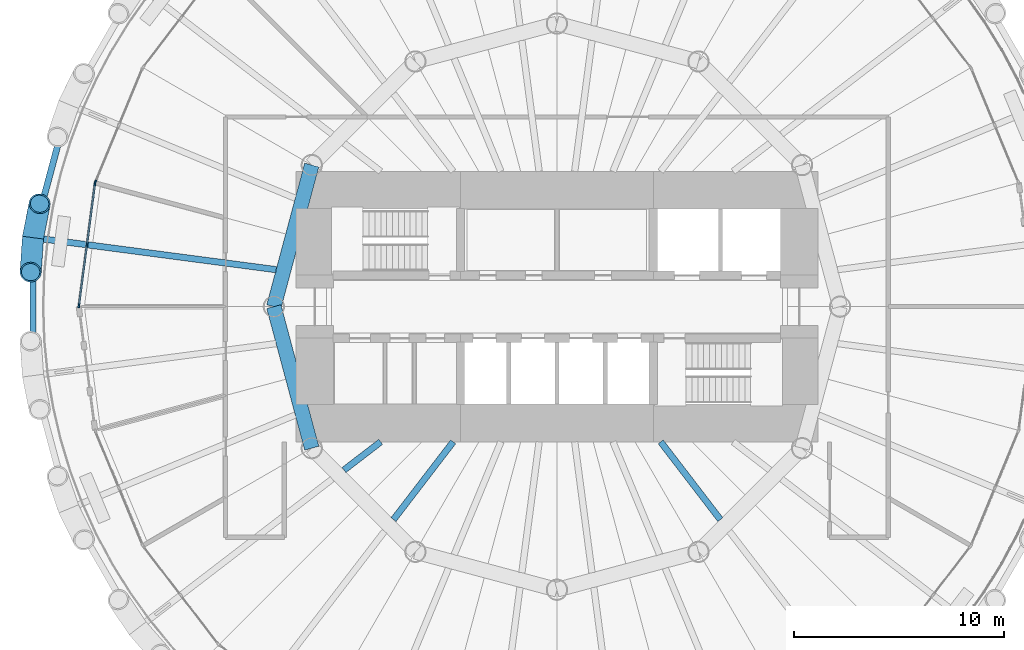
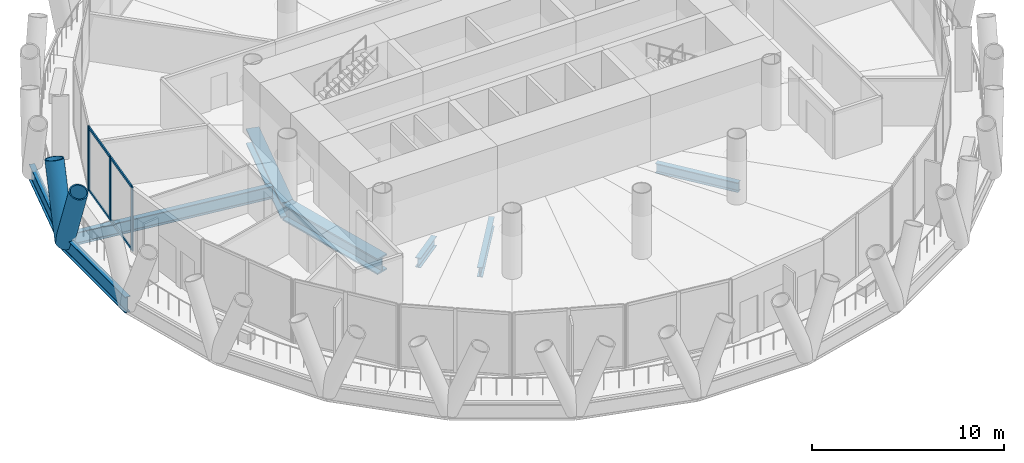
# One storey, part 3 of 14: 10 members, 8 beams, 2 elements without a shape of their own.
"""IFC4 building model written with IfcOpenShell, lengths in metres."""

from ifc_helpers import new_model, si_unit, direction, frame, origin, origin_2d, place, context, subcontext, project, spatial, rectangle, hollow_circle, i_section, extrude, material, material_profile, profile_set, type_object, element, aggregate, save


model = new_model("IFC4")

# Units and contexts
model_context = context("Model", 3, precision=1e-05, world=origin(), true_north=direction((0.0, 1.0)))
body_context = subcontext(model_context, "Body", "Model", "MODEL_VIEW")
ifc_project = project(units=[si_unit("LENGTHUNIT", "METRE"), si_unit("AREAUNIT", "SQUARE_METRE"), si_unit("VOLUMEUNIT", "CUBIC_METRE"), si_unit("PLANEANGLEUNIT", "RADIAN"), si_unit("MASSUNIT", "GRAM", prefix="KILO")], contexts=[model_context])

# Site, building, storey
site_placement = place(None, origin())
site = spatial("IfcSite", under=ifc_project, at=site_placement, CompositionType="ELEMENT")
building_placement = place(site_placement, origin())
building = spatial("IfcBuilding", under=site, at=building_placement, Name="Qaws Media Tower", CompositionType="ELEMENT")
storey_placement = place(building_placement, frame((0.0, 0.0, 118.39990234375)))
storey = spatial("IfcBuildingStorey", under=building, at=storey_placement, Name="L26", CompositionType="ELEMENT", Elevation=118.39990234375)

# Curtain wall, member
ifc_material_1 = material(Name="Aluminium and clear glass", Category="aluminium")
curtain_wall_type = type_object("IfcCurtainWallType", Name="Unitised curtain wall CW-B", PredefinedType="NOTDEFINED", material=ifc_material_1)
curtain_wall_1_placement = place(storey_placement, origin())
curtain_wall_1 = element("IfcCurtainWall", 1, at=curtain_wall_1_placement, inside=storey, type_object=curtain_wall_type, Name="CWB curtain wall L26-11", PredefinedType="NOTDEFINED")
ifc_material_2 = material(Name="Aluminium mullion", Category="aluminium")
ifc_material_profile_1 = material_profile(ifc_material_2, rectangle(XDim=0.080078125, YDim=0.199951171875, at=origin_2d()), Name="80x200")
ifc_profile_set_1 = profile_set([ifc_material_profile_1], Name="Aluminium mullion")
member_type_1 = type_object("IfcMemberType", Name="Curtain wall mullion 80x200", PredefinedType="MULLION", material=ifc_profile_set_1)
member_1_placement = place(storey_placement, frame((37.9921875, 55.93798828125, 0.0), z_axis=(0.0, 0.0, 1.0), x_axis=(0.923879516335, -0.382683471419, 0.0)))
member_1 = element("IfcMember", 2, at=member_1_placement, type_object=member_type_1, Name="CWB mullion 3", PredefinedType="MULLION", context=body_context, shape_type="SweptSolid", body=[
    extrude(rectangle(XDim=0.080078125, YDim=0.199951171875, at=origin_2d()), origin(), (0.0, 0.0, 1.0), 4.0400390625),
])
aggregate(curtain_wall_1, [member_1])

# Curtain wall, members
curtain_wall_2_placement = place(storey_placement, origin())
curtain_wall_2 = element("IfcCurtainWall", 3, at=curtain_wall_2_placement, inside=storey, type_object=curtain_wall_type, Name="CWB curtain wall L26-12", PredefinedType="NOTDEFINED")
member_2_placement = place(storey_placement, frame((37.9716796875, 55.861328125, 0.0), z_axis=(0.0, 0.0, 1.0), x_axis=(0.991444864212, -0.130526170659, 0.0)))
member_2 = element("IfcMember", 4, at=member_2_placement, type_object=member_type_1, Name="CWB mullion 1", PredefinedType="MULLION", context=body_context, shape_type="SweptSolid", body=[
    extrude(rectangle(XDim=0.080078125, YDim=0.199951171875, at=origin_2d()), origin(), (0.0, 0.0, 1.0), 4.0400390625),
])
member_3_placement = place(storey_placement, frame((37.58837890625, 52.950439453125, 0.0), z_axis=(0.0, 0.0, 1.0), x_axis=(0.991444864212, -0.130526170659, 0.0)))
member_3 = element("IfcMember", 5, at=member_3_placement, type_object=member_type_1, Name="CWB mullion 2", PredefinedType="MULLION", context=body_context, shape_type="SweptSolid", body=[
    extrude(rectangle(XDim=0.080078125, YDim=0.199951171875, at=origin_2d()), origin(), (0.0, 0.0, 1.0), 4.0400390625),
])
member_4_placement = place(storey_placement, frame((37.205322265625, 50.03955078125, 0.0), z_axis=(0.0, 0.0, 1.0), x_axis=(0.991444864212, -0.130526170659, 0.0)))
member_4 = element("IfcMember", 6, at=member_4_placement, type_object=member_type_1, Name="CWB mullion 3", PredefinedType="MULLION", context=body_context, shape_type="SweptSolid", body=[
    extrude(rectangle(XDim=0.080078125, YDim=0.199951171875, at=origin_2d()), origin(), (0.0, 0.0, 1.0), 4.0400390625),
])
ifc_material_3 = material(Name="Aluminium transom", Category="aluminium")
ifc_material_profile_2 = material_profile(ifc_material_3, rectangle(XDim=0.080078125, YDim=0.159912109375, at=origin_2d()), Name="80x160")
ifc_profile_set_2 = profile_set([ifc_material_profile_2], Name="Aluminium transom")
member_type_2 = type_object("IfcMemberType", Name="Curtain wall transom 80x160", PredefinedType="USERDEFINED", material=ifc_profile_set_2)
member_5_placement = place(storey_placement, frame((37.966552734375, 55.82177734375, 0.0400390625), z_axis=(-0.130534118793, -0.991443817788, 0.0), x_axis=(0.991443817788, -0.130534118793, 0.0)))
member_5 = element("IfcMember", 7, at=member_5_placement, type_object=member_type_2, Name="CWB transom 1.1", ObjectType="TRANSOM", PredefinedType="USERDEFINED", context=body_context, shape_type="SweptSolid", body=[
    extrude(rectangle(XDim=0.080078125, YDim=0.159912109375, at=origin_2d()), origin(), (0.0, 0.0, 1.0), 2.85595703125),
])
member_6_placement = place(storey_placement, frame((37.966552734375, 55.82177734375, 4.0), z_axis=(-0.130534118793, -0.991443817788, 0.0), x_axis=(0.991443817788, -0.130534118793, 0.0)))
member_6 = element("IfcMember", 8, at=member_6_placement, type_object=member_type_2, Name="CWB transom 1.2", ObjectType="TRANSOM", PredefinedType="USERDEFINED", context=body_context, shape_type="SweptSolid", body=[
    extrude(rectangle(XDim=0.080078125, YDim=0.159912109375, at=origin_2d()), origin(), (0.0, 0.0, 1.0), 2.85595703125),
])
member_7_placement = place(storey_placement, frame((37.583251953125, 52.910888671875, 0.0400390625), z_axis=(-0.130534118793, -0.991443817788, 0.0), x_axis=(0.991443817788, -0.130534118793, 0.0)))
member_7 = element("IfcMember", 9, at=member_7_placement, type_object=member_type_2, Name="CWB transom 2.1", ObjectType="TRANSOM", PredefinedType="USERDEFINED", context=body_context, shape_type="SweptSolid", body=[
    extrude(rectangle(XDim=0.080078125, YDim=0.159912109375, at=origin_2d()), origin(), (0.0, 0.0, 1.0), 2.85595703125),
])
member_8_placement = place(storey_placement, frame((37.583251953125, 52.910888671875, 4.0), z_axis=(-0.130534118793, -0.991443817788, 0.0), x_axis=(0.991443817788, -0.130534118793, 0.0)))
member_8 = element("IfcMember", 10, at=member_8_placement, type_object=member_type_2, Name="CWB transom 2.2", ObjectType="TRANSOM", PredefinedType="USERDEFINED", context=body_context, shape_type="SweptSolid", body=[
    extrude(rectangle(XDim=0.080078125, YDim=0.159912109375, at=origin_2d()), origin(), (0.0, 0.0, 1.0), 2.85595703125),
])
aggregate(curtain_wall_2, [member_2, member_3, member_4, member_5, member_6, member_7, member_8])

# Members
ifc_material_4 = material(Name="Steel S460", Category="steel")
ifc_material_profile_3 = material_profile(ifc_material_4, hollow_circle(Radius=0.508056640625, WallThickness=0.070068359375, at=origin_2d()), Name="CHS 1016x70")
ifc_profile_set_3 = profile_set([ifc_material_profile_3], Name="Steel S460")
member_type_3 = type_object("IfcMemberType", Name="Diagrid member CHS 1016x70", PredefinedType="USERDEFINED", material=ifc_profile_set_3)
for number, where, z_axis, x_axis, name in (
    (11, (35.015625, 53.289306640625, -0.663818359375), (-0.024782959481, -0.364493482667, 0.930876095951), (0.997696468439, -0.067836250378, 0.0), "DG3 diagrid L26 A12"),
    (12, (35.015625, 53.289306640625, -0.663818359375), (0.070400145743, 0.358440096389, 0.930894471344), (-0.981252822756, 0.192724927899, 0.0), "DG3 diagrid L26 B12"),
):
    element("IfcMember", number, at=place(storey_placement, frame(where, z_axis=z_axis, x_axis=x_axis)), inside=storey, type_object=member_type_3, Name=name, ObjectType="DIAGRID", PredefinedType="USERDEFINED", context=body_context, shape_type="SweptSolid", body=[
        extrude(hollow_circle(Radius=0.508056640625, WallThickness=0.070068359375, at=origin_2d()), origin(), (0.0, 0.0, 1.0), 4.51171875),
    ])

# Beams
ifc_material_5 = material(Name="Steel S460", Category="steel")
ifc_material_profile_4 = material_profile(ifc_material_5, i_section(OverallWidth=0.302001953125, OverallDepth=1.008056640625, WebThickness=0.02099609375, FlangeThickness=0.0400390625, FilletRadius=0.030029296875, at=origin_2d()), Name="HE 1000 M")
ifc_profile_set_4 = profile_set([ifc_material_profile_4], Name="Steel S460")
beam_type_1 = type_object("IfcBeamType", Name="Edge ring beam HE 1000 M", PredefinedType="BEAM", material=ifc_profile_set_4)
beam_1_placement = place(storey_placement, frame((36.71826171875, 59.6435546875, -0.663818359375), z_axis=(-0.258822035732, -0.965925024947, 0.0), x_axis=(0.965925024947, -0.258822035732, 0.0)))
element("IfcBeam", 13, at=beam_1_placement, inside=storey, type_object=beam_type_1, Name="RB3 edge ring beam L26-11", PredefinedType="BEAM", context=body_context, shape_type="SweptSolid", body=[
    extrude(i_section(OverallWidth=0.302001953125, OverallDepth=1.008056640625, WebThickness=0.02099609375, FlangeThickness=0.0400390625, FilletRadius=0.030029296875, at=origin_2d()), origin(), (0.0, 0.0, 1.0), 6.578369140625),
])
beam_2_placement = place(storey_placement, frame((35.015625, 53.289306640625, -0.663818359375), z_axis=(0.0, -1.0, 0.0), x_axis=(1.0, 0.0, 0.0)))
element("IfcBeam", 14, at=beam_2_placement, inside=storey, type_object=beam_type_1, Name="RB3 edge ring beam L26-12", PredefinedType="BEAM", context=body_context, shape_type="SweptSolid", body=[
    extrude(i_section(OverallWidth=0.302001953125, OverallDepth=1.008056640625, WebThickness=0.02099609375, FlangeThickness=0.0400390625, FilletRadius=0.030029296875, at=origin_2d()), origin(), (0.0, 0.0, 1.0), 6.57861328125),
])
ifc_material_6 = material(Name="Steel S460", Category="steel")
ifc_material_profile_5 = material_profile(ifc_material_6, i_section(OverallWidth=0.699951171875, OverallDepth=1.0, WebThickness=0.034912109375, FlangeThickness=0.090087890625, at=origin_2d()), Name="PG 1000x700")
ifc_profile_set_5 = profile_set([ifc_material_profile_5], Name="Steel S460")
beam_type_2 = type_object("IfcBeamType", Name="Inner ring girder PG 1000x700", PredefinedType="BEAM", material=ifc_profile_set_5)
for number, where, z_axis, x_axis, name in (
    (15, (48.30859375, 56.75, -0.659912109375), (-0.258810593767, -0.965928090778, 0.0), (0.965928090778, -0.258810593767, 0.0), "B3 inner ring beam L26 I06-I07"),
    (16, (46.5, 50.0, -0.659912109375), (0.258810593767, -0.965928090778, 0.0), (0.965928090778, 0.258810593767, 0.0), "B3 inner ring beam L26 I07-I08"),
):
    element("IfcBeam", number, at=place(storey_placement, frame(where, z_axis=z_axis, x_axis=x_axis)), inside=storey, type_object=beam_type_2, Name=name, PredefinedType="BEAM", context=body_context, shape_type="SweptSolid", body=[
        extrude(i_section(OverallWidth=0.699951171875, OverallDepth=1.0, WebThickness=0.034912109375, FlangeThickness=0.090087890625, at=origin_2d()), origin(), (0.0, 0.0, 1.0), 6.988037109375),
    ])
ifc_material_7 = material(Name="Steel S355", Category="steel")
ifc_material_profile_6 = material_profile(ifc_material_7, i_section(OverallWidth=0.304931640625, OverallDepth=0.6201171875, WebThickness=0.02099609375, FlangeThickness=0.0400390625, FilletRadius=0.027099609375, at=origin_2d()), Name="HE 600 M")
ifc_profile_set_6 = profile_set([ifc_material_profile_6], Name="Steel S355")
beam_type_3 = type_object("IfcBeamType", Name="Radial beam HE 600 M, core side", PredefinedType="BEAM", material=ifc_profile_set_6)
beam_3_placement = place(storey_placement, frame((51.59423828125, 43.550048828125, -0.469970703125), z_axis=(-0.793372769304, -0.608736107789, 0.0), x_axis=(0.608736107789, -0.793372769304, 0.0)))
element("IfcBeam", 17, at=beam_3_placement, inside=storey, type_object=beam_type_3, Name="B2 radial beam L26 15", PredefinedType="BEAM", context=body_context, shape_type="SweptSolid", body=[
    extrude(i_section(OverallWidth=0.304931640625, OverallDepth=0.6201171875, WebThickness=0.02099609375, FlangeThickness=0.0400390625, FilletRadius=0.027099609375, at=origin_2d()), origin(), (0.0, 0.0, 1.0), 2.204345703125),
])
for number, where, z_axis, x_axis, name in (
    (18, (55.05078125, 43.550048828125, -0.469970703125), (-0.608747616782, -0.793363938594, 0.0), (0.793363938594, -0.608747616782, 0.0), "B2 radial beam L26 16"),
    (19, (64.94921875, 43.550048828125, -0.469970703125), (0.608747616782, -0.793363938594, 0.0), (0.793363938594, 0.608747616782, 0.0), "B2 radial beam L26 21"),
):
    element("IfcBeam", number, at=place(storey_placement, frame(where, z_axis=z_axis, x_axis=x_axis)), inside=storey, type_object=beam_type_3, Name=name, PredefinedType="BEAM", context=body_context, shape_type="SweptSolid", body=[
        extrude(i_section(OverallWidth=0.304931640625, OverallDepth=0.6201171875, WebThickness=0.02099609375, FlangeThickness=0.0400390625, FilletRadius=0.027099609375, at=origin_2d()), origin(), (0.0, 0.0, 1.0), 4.66943359375),
    ])
ifc_material_8 = material(Name="Steel S355", Category="steel")
ifc_material_profile_7 = material_profile(ifc_material_8, i_section(OverallWidth=0.300048828125, OverallDepth=0.800048828125, WebThickness=0.017578125, FlangeThickness=0.032958984375, FilletRadius=0.030029296875, at=origin_2d()), Name="HE 800 B")
ifc_profile_set_7 = profile_set([ifc_material_profile_7], Name="Steel S355")
beam_type_4 = type_object("IfcBeamType", Name="Radial beam HE 800 B", PredefinedType="BEAM", material=ifc_profile_set_7)
beam_4_placement = place(storey_placement, frame((46.610107421875, 51.762939453125, -0.559814453125), z_axis=(-0.991445695513, 0.130519856148, 0.0), x_axis=(-0.130519856148, -0.991445695513, 0.0)))
element("IfcBeam", 20, at=beam_4_placement, inside=storey, type_object=beam_type_4, Name="B1 radial beam L26 12", PredefinedType="BEAM", context=body_context, shape_type="SweptSolid", body=[
    extrude(i_section(OverallWidth=0.300048828125, OverallDepth=0.800048828125, WebThickness=0.017578125, FlangeThickness=0.032958984375, FilletRadius=0.030029296875, at=origin_2d()), origin(), (0.0, 0.0, 1.0), 11.694580078125),
])

save(model, "model.ifc")
